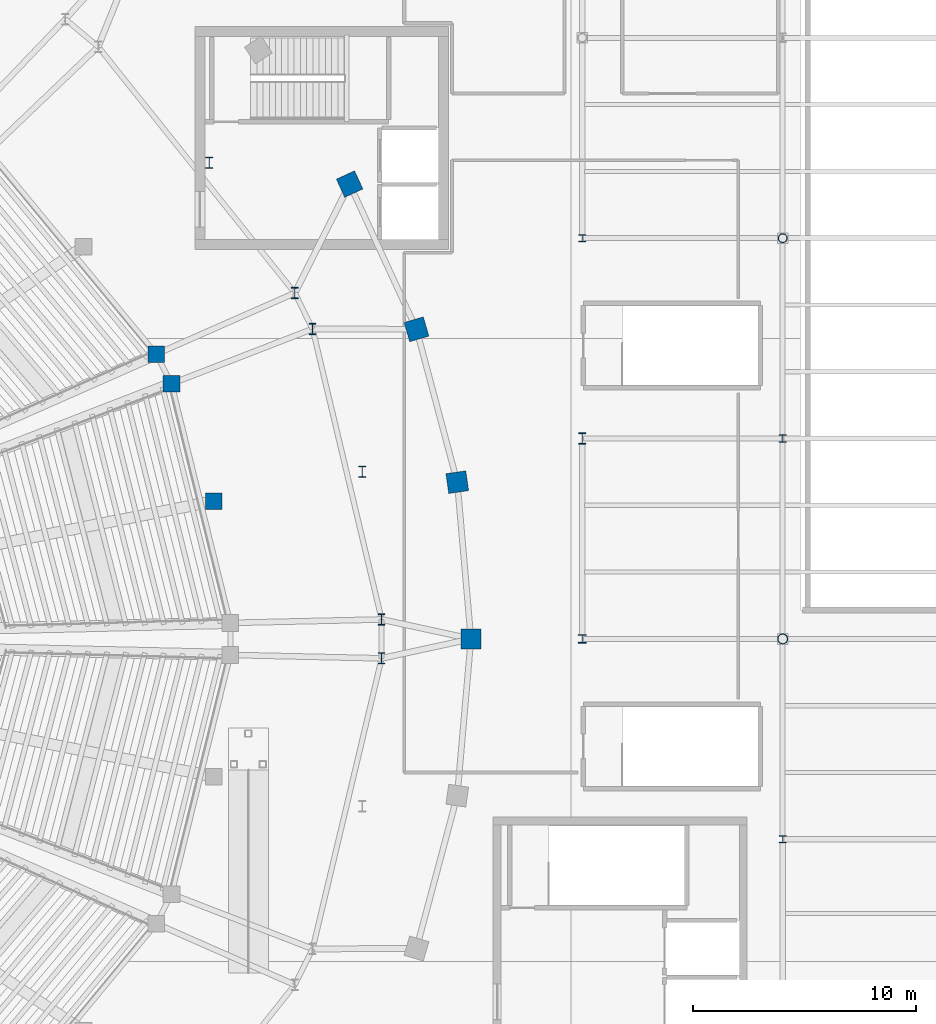
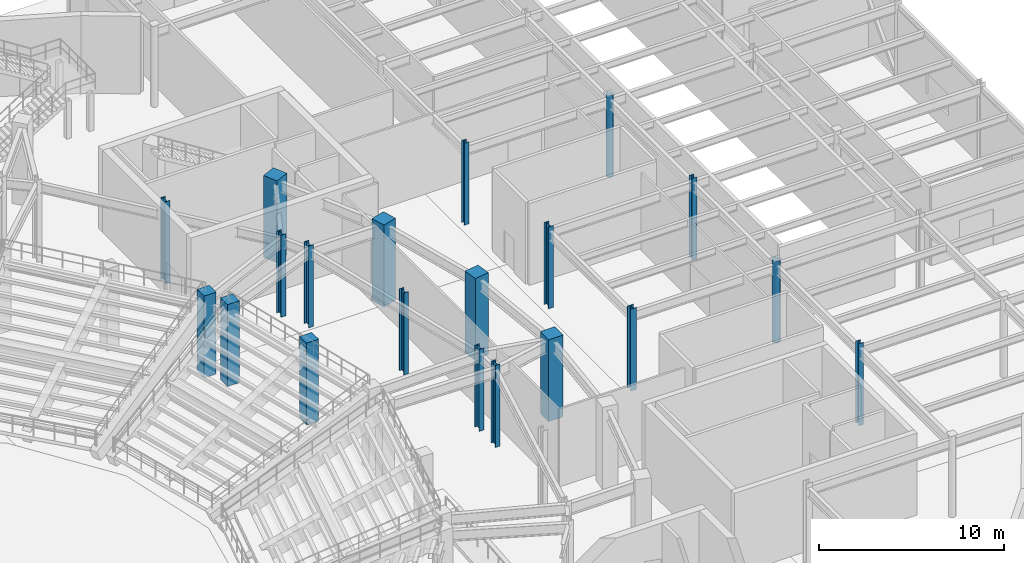
# One storey, part 18 of 79: 20 columns.
"""IFC4 building model written with IfcOpenShell, lengths in metres."""

from ifc_helpers import new_model, si_unit, direction, frame, origin, origin_2d, place, context, subcontext, project, spatial, rectangle, hollow_circle, i_section, extrude, material, material_profile, profile_set, type_object, element, save


model = new_model("IFC4")

# Units and contexts
model_context = context("Model", 3, precision=1e-05, world=origin(), true_north=direction((0.0, 1.0)))
body_context = subcontext(model_context, "Body", "Model", "MODEL_VIEW")
ifc_project = project(units=[si_unit("LENGTHUNIT", "METRE"), si_unit("AREAUNIT", "SQUARE_METRE"), si_unit("VOLUMEUNIT", "CUBIC_METRE"), si_unit("PLANEANGLEUNIT", "RADIAN"), si_unit("MASSUNIT", "GRAM", prefix="KILO")], contexts=[model_context])

# Site, building, storey
site_placement = place(None, origin())
site = spatial("IfcSite", under=ifc_project, at=site_placement, CompositionType="ELEMENT")
building_placement = place(site_placement, origin())
building = spatial("IfcBuilding", under=site, at=building_placement, Name="Glasvene Arena", CompositionType="ELEMENT")
storey_placement = place(building_placement, origin())
storey = spatial("IfcBuildingStorey", under=building, at=storey_placement, Name="L00", CompositionType="ELEMENT", Elevation=0.0)

# Columns
ifc_material_1 = material(Name="Concrete C40/50", Category="concrete")
ifc_material_profile_1 = material_profile(ifc_material_1, rectangle(XDim=0.89990234375, YDim=0.89990234375, at=origin_2d()), Name="RC 900x900")
ifc_profile_set_1 = profile_set([ifc_material_profile_1], Name="Concrete C40/50")
column_type_1 = type_object("IfcColumnType", Name="COL-BOWL-RC900", PredefinedType="COLUMN", material=ifc_profile_set_1)
for number, where, z_axis, x_axis, name in (
    (1, (142.0, 73.0, 0.0), (0.0, 0.0, 1.0), (1.0, 0.0, 0.0), "Bowl ring column R01 L00"),
    (2, (141.384521484375, 80.03955078125, 0.0), (0.0, 0.0, 1.0), (0.989999050734, 0.141074021516, 0.0), "Bowl ring column R02 L00"),
    (3, (139.552734375, 86.90576171875, 0.0), (0.0, 0.0, 1.0), (0.959805291975, 0.280666708921, 0.0), "Bowl ring column R03 L00"),
    (4, (136.55029296875, 93.4296875, 0.0), (0.0, 0.0, 1.0), (0.909018020308, 0.416756810089, 0.0), "Bowl ring column R04 L00"),
):
    element("IfcColumn", number, at=place(storey_placement, frame(where, z_axis=z_axis, x_axis=x_axis)), inside=storey, type_object=column_type_1, Name=name, PredefinedType="COLUMN", context=body_context, shape_type="SweptSolid", body=[
        extrude(rectangle(XDim=0.89990234375, YDim=0.89990234375, at=origin_2d()), origin(), (0.0, 0.0, 1.0), 5.39990234375),
    ])
ifc_material_profile_2 = material_profile(ifc_material_1, rectangle(XDim=0.75, YDim=0.75, at=origin_2d()), Name="RC 750x750")
ifc_profile_set_2 = profile_set([ifc_material_profile_2], Name="Concrete C40/50")
column_type_2 = type_object("IfcColumnType", Name="COL-MID-RC750", PredefinedType="COLUMN", material=ifc_profile_set_2)
for number, where, z_axis, x_axis, name in (
    (5, (128.547119140625, 84.46337890625, 0.0), (0.0, 0.0, 1.0), (1.0, 0.0, 0.0), "Mid-bowl fulcrum column L00 01-2"),
    (6, (127.866455078125, 85.79248046875, 0.0), (0.0, 0.0, 1.0), (1.0, 0.0, 0.0), "Mid-bowl fulcrum column L00 02-1"),
    (7, (130.44677734375, 79.184326171875, 0.0), (0.0, 0.0, 1.0), (1.0, 0.0, 0.0), "Mid-sector fulcrum column L00 01"),
):
    element("IfcColumn", number, at=place(storey_placement, frame(where, z_axis=z_axis, x_axis=x_axis)), inside=storey, type_object=column_type_2, Name=name, PredefinedType="COLUMN", context=body_context, shape_type="SweptSolid", body=[
        extrude(rectangle(XDim=0.75, YDim=0.75, at=origin_2d()), origin(), (0.0, 0.0, 1.0), 5.39990234375),
    ])
ifc_material_2 = material(Name="Steel S355J2", Category="steel")
ifc_material_profile_3 = material_profile(ifc_material_2, hollow_circle(Radius=0.203125, WallThickness=0.01611328125, at=origin_2d()), Name="CHS 406.4x16.0")
ifc_profile_set_3 = profile_set([ifc_material_profile_3], Name="Steel S355J2")
column_type_3 = type_object("IfcColumnType", Name="COL-W-CHS406", PredefinedType="COLUMN", material=ifc_profile_set_3)
column_1_placement = place(storey_placement, frame((156.0, 91.0, 0.0), z_axis=(0.0, 0.0, 1.0), x_axis=(1.0, 0.0, 0.0)))
element("IfcColumn", 8, at=column_1_placement, inside=storey, type_object=column_type_3, Name="Grid column 18-11 L00", PredefinedType="COLUMN", context=body_context, shape_type="SweptSolid", body=[
    extrude(hollow_circle(Radius=0.203125, WallThickness=0.01611328125, at=origin_2d()), origin(), (0.0, 0.0, 1.0), 5.39990234375),
])
ifc_material_profile_4 = material_profile(ifc_material_2, hollow_circle(Radius=0.228515625, WallThickness=0.02001953125, at=origin_2d()), Name="CHS 457.0x20.0")
ifc_profile_set_4 = profile_set([ifc_material_profile_4], Name="Steel S355J2")
column_type_4 = type_object("IfcColumnType", Name="COL-W-CHS457", PredefinedType="COLUMN", material=ifc_profile_set_4)
column_2_placement = place(storey_placement, frame((156.0, 73.0, 0.0), z_axis=(0.0, 0.0, 1.0), x_axis=(1.0, 0.0, 0.0)))
element("IfcColumn", 9, at=column_2_placement, inside=storey, type_object=column_type_4, Name="Grid column 18-9 L00", PredefinedType="COLUMN", context=body_context, shape_type="SweptSolid", body=[
    extrude(hollow_circle(Radius=0.228515625, WallThickness=0.02001953125, at=origin_2d()), origin(), (0.0, 0.0, 1.0), 5.39990234375),
])
ifc_material_profile_5 = material_profile(ifc_material_2, i_section(OverallWidth=0.300048828125, OverallDepth=0.5, WebThickness=0.014404296875, FlangeThickness=0.028076171875, FilletRadius=0.027099609375, at=origin_2d()), Name="HEB 500")
ifc_profile_set_5 = profile_set([ifc_material_profile_5], Name="Steel S355J2")
column_type_5 = type_object("IfcColumnType", Name="COL-W-HEB500", PredefinedType="COLUMN", material=ifc_profile_set_5)
for number, where, z_axis, x_axis, name in (
    (10, (137.98828125, 73.87353515625, 0.0), (0.0, 0.0, 1.0), (1.0, 0.0, 0.0), "Upper raker rear column L00 01-1"),
    (11, (134.886962890625, 86.922607421875, 0.0), (0.0, 0.0, 1.0), (1.0, 0.0, 0.0), "Upper raker rear column L00 01-2"),
    (12, (134.088134765625, 88.53662109375, 0.0), (0.0, 0.0, 1.0), (1.0, 0.0, 0.0), "Upper raker rear column L00 02-1"),
    (13, (137.98828125, 72.12646484375, 0.0), (0.0, 0.0, 1.0), (1.0, 0.0, 0.0), "Upper raker rear column L00 16-2"),
    (14, (147.0, 82.0, 0.0), (0.0, 0.0, 1.0), (1.0, 0.0, 0.0), "Grid column 17-10 L00"),
    (15, (137.1162109375, 80.510986328125, 0.0), (0.0, 0.0, 1.0), (1.0, 0.0, 0.0), "Mid-sector rear raker column L00 01"),
    (16, (130.24755859375, 94.389404296875, 0.0), (0.0, 0.0, 1.0), (1.0, 0.0, 0.0), "Mid-sector rear raker column L00 02"),
):
    element("IfcColumn", number, at=place(storey_placement, frame(where, z_axis=z_axis, x_axis=x_axis)), inside=storey, type_object=column_type_5, Name=name, PredefinedType="COLUMN", context=body_context, shape_type="SweptSolid", body=[
        extrude(i_section(OverallWidth=0.300048828125, OverallDepth=0.5, WebThickness=0.014404296875, FlangeThickness=0.028076171875, FilletRadius=0.027099609375, at=origin_2d()), origin(), (0.0, 0.0, 1.0), 5.39990234375),
    ])
ifc_material_profile_6 = material_profile(ifc_material_2, i_section(OverallWidth=0.30908203125, OverallDepth=0.320556640625, WebThickness=0.013916015625, FlangeThickness=0.021728515625, FilletRadius=0.01513671875, at=origin_2d()), Name="UKC 305x305x137")
ifc_profile_set_6 = profile_set([ifc_material_profile_6], Name="Steel S355J2")
column_type_6 = type_object("IfcColumnType", Name="COL-W-UKC137", PredefinedType="COLUMN", material=ifc_profile_set_6)
for number, where, z_axis, x_axis, name in (
    (17, (147.0, 91.0, 0.0), (0.0, 0.0, 1.0), (1.0, 0.0, 0.0), "Grid column 17-11 L00"),
    (18, (156.0, 64.0, 0.0), (0.0, 0.0, 1.0), (1.0, 0.0, 0.0), "Grid column 18-8 L00"),
    (19, (156.0, 82.0, 0.0), (0.0, 0.0, 1.0), (1.0, 0.0, 0.0), "Grid column 18-10 L00"),
):
    element("IfcColumn", number, at=place(storey_placement, frame(where, z_axis=z_axis, x_axis=x_axis)), inside=storey, type_object=column_type_6, Name=name, PredefinedType="COLUMN", context=body_context, shape_type="SweptSolid", body=[
        extrude(i_section(OverallWidth=0.30908203125, OverallDepth=0.320556640625, WebThickness=0.013916015625, FlangeThickness=0.021728515625, FilletRadius=0.01513671875, at=origin_2d()), origin(), (0.0, 0.0, 1.0), 5.39990234375),
    ])
ifc_material_profile_7 = material_profile(ifc_material_2, i_section(OverallWidth=0.37255859375, OverallDepth=0.3681640625, WebThickness=0.014404296875, FlangeThickness=0.023681640625, FilletRadius=0.01513671875, at=origin_2d()), Name="UKC 356x368x177")
ifc_profile_set_7 = profile_set([ifc_material_profile_7], Name="Steel S355J2")
column_type_7 = type_object("IfcColumnType", Name="COL-W-UKC177", PredefinedType="COLUMN", material=ifc_profile_set_7)
column_3_placement = place(storey_placement, frame((147.0, 73.0, 0.0), z_axis=(0.0, 0.0, 1.0), x_axis=(1.0, 0.0, 0.0)))
element("IfcColumn", 20, at=column_3_placement, inside=storey, type_object=column_type_7, Name="Grid column 17-9 L00", PredefinedType="COLUMN", context=body_context, shape_type="SweptSolid", body=[
    extrude(i_section(OverallWidth=0.37255859375, OverallDepth=0.3681640625, WebThickness=0.014404296875, FlangeThickness=0.023681640625, FilletRadius=0.01513671875, at=origin_2d()), origin(), (0.0, 0.0, 1.0), 5.39990234375),
])

save(model, "model.ifc")
